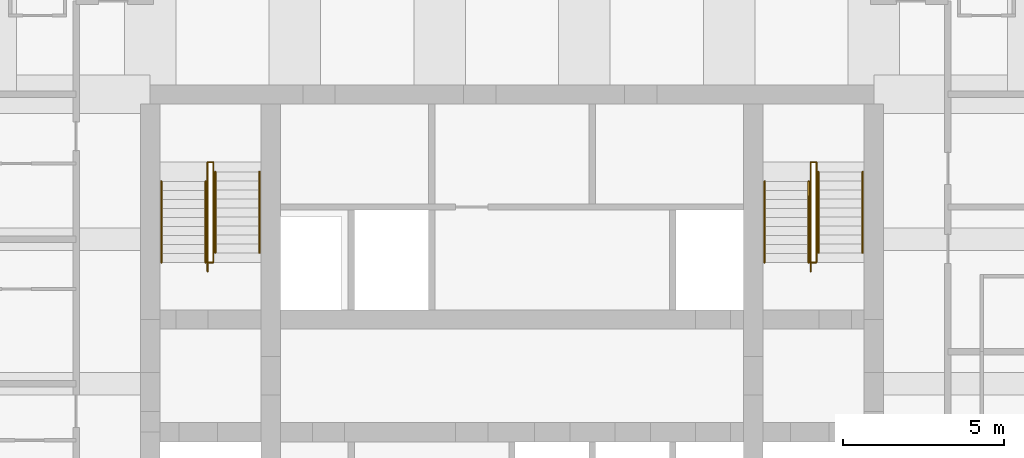
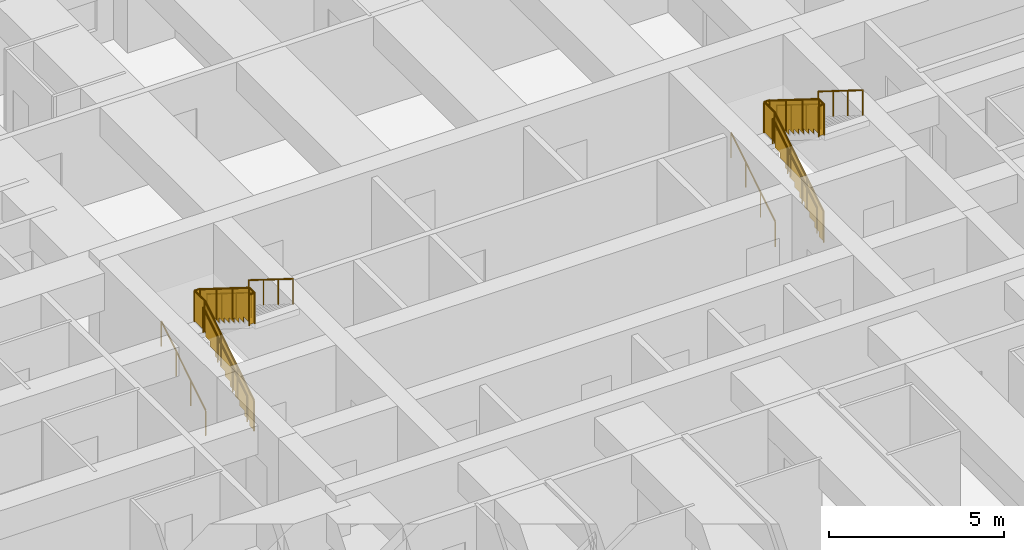
# One storey, part 8 of 8: 12 railings.
"""IFC4 building model written with IfcOpenShell, lengths in metres."""

from ifc_helpers import new_model, si_unit, direction, frame, origin, origin_2d, place, context, subcontext, project, spatial, polyline, circle, outline, extrude, material, type_object, element, save


model = new_model("IFC4")

# Units and contexts
model_context = context("Model", 3, precision=1e-05, world=origin(), true_north=direction((0.0, 1.0)))
body_context = subcontext(model_context, "Body", "Model", "MODEL_VIEW")
ifc_project = project(units=[si_unit("LENGTHUNIT", "METRE"), si_unit("AREAUNIT", "SQUARE_METRE"), si_unit("VOLUMEUNIT", "CUBIC_METRE"), si_unit("PLANEANGLEUNIT", "RADIAN"), si_unit("MASSUNIT", "GRAM", prefix="KILO")], contexts=[model_context])

# Site, building, storey
site_placement = place(None, origin())
site = spatial("IfcSite", under=ifc_project, at=site_placement, CompositionType="ELEMENT")
building_placement = place(site_placement, origin())
building = spatial("IfcBuilding", under=site, at=building_placement, Name="Kilele Tower Hotel", CompositionType="ELEMENT")
storey_placement = place(building_placement, frame((0.0, 0.0, 128.39990234375)))
storey = spatial("IfcBuildingStorey", under=building, at=storey_placement, Name="L33", CompositionType="ELEMENT", Elevation=128.39990234375)

# Railings
ifc_material_1 = material(Name="Steel handrail", Category="steel")
railing_type_1 = type_object("IfcRailingType", Name="Handrail 900", PredefinedType="HANDRAIL", material=ifc_material_1)
for number, where, name in (
    (1, (13.85009765625, 21.77490234375, 0.175048828125), "Handrail ST1 flight 1"),
    (2, (15.22509765625, 21.77490234375, 0.175048828125), "Handrail ST1 flight 1"),
):
    element("IfcRailing", number, at=place(storey_placement, frame(where)), inside=storey, type_object=railing_type_1, Name=name, PredefinedType="HANDRAIL", context=body_context, shape_type="SweptSolid", body=[
        extrude(circle(Radius=0.02490234375, at=origin_2d()), frame((0.0, 0.0, 0.875), z_axis=(0.0, 0.848007534815, 0.529984170421), x_axis=(-1.0, 0.0, 0.0)), (0.0, 0.0, 1.0), 2.9716796875),
        extrude(circle(Radius=0.02001953125, at=origin_2d()), origin(), (0.0, 0.0, 1.0), 0.849853515625),
        extrude(circle(Radius=0.02001953125, at=origin_2d()), frame((0.0, 0.840087890625, 0.52490234375)), (0.0, 0.0, 1.0), 0.849853515625),
        extrude(circle(Radius=0.02001953125, at=origin_2d()), frame((0.0, 1.679931640625, 1.050048828125)), (0.0, 0.0, 1.0), 0.849853515625),
        extrude(circle(Radius=0.02001953125, at=origin_2d()), frame((0.0, 2.52001953125, 1.574951171875)), (0.0, 0.0, 1.0), 0.849853515625),
    ])
for number, where, name in (
    (3, (15.52490234375, 24.594970703125, 1.925048828125), "Handrail ST1 flight 2"),
    (4, (16.89990234375, 24.594970703125, 1.925048828125), "Handrail ST1 flight 2"),
):
    element("IfcRailing", number, at=place(storey_placement, frame(where)), inside=storey, type_object=railing_type_1, Name=name, PredefinedType="HANDRAIL", context=body_context, shape_type="SweptSolid", body=[
        extrude(circle(Radius=0.02490234375, at=origin_2d()), frame((0.0, 0.0, 0.875), z_axis=(0.0, -0.848007534815, 0.529984170421), x_axis=(1.0, 0.0, 0.0)), (0.0, 0.0, 1.0), 2.9716796875),
        extrude(circle(Radius=0.02001953125, at=origin_2d()), origin(), (0.0, 0.0, 1.0), 0.849853515625),
        extrude(circle(Radius=0.02001953125, at=origin_2d()), frame((0.0, -0.840087890625, 0.52490234375)), (0.0, 0.0, 1.0), 0.849853515625),
        extrude(circle(Radius=0.02001953125, at=origin_2d()), frame((0.0, -1.679931640625, 1.050048828125)), (0.0, 0.0, 1.0), 0.849853515625),
        extrude(circle(Radius=0.02001953125, at=origin_2d()), frame((0.0, -2.52001953125, 1.574951171875)), (0.0, 0.0, 1.0), 0.849853515625),
    ])
for number, where, name in (
    (5, (32.60009765625, 21.77490234375, 0.175048828125), "Handrail ST2 flight 1"),
    (6, (33.97509765625, 21.77490234375, 0.175048828125), "Handrail ST2 flight 1"),
):
    element("IfcRailing", number, at=place(storey_placement, frame(where)), inside=storey, type_object=railing_type_1, Name=name, PredefinedType="HANDRAIL", context=body_context, shape_type="SweptSolid", body=[
        extrude(circle(Radius=0.02490234375, at=origin_2d()), frame((0.0, 0.0, 0.875), z_axis=(0.0, 0.848007534815, 0.529984170421), x_axis=(-1.0, 0.0, 0.0)), (0.0, 0.0, 1.0), 2.9716796875),
        extrude(circle(Radius=0.02001953125, at=origin_2d()), origin(), (0.0, 0.0, 1.0), 0.849853515625),
        extrude(circle(Radius=0.02001953125, at=origin_2d()), frame((0.0, 0.840087890625, 0.52490234375)), (0.0, 0.0, 1.0), 0.849853515625),
        extrude(circle(Radius=0.02001953125, at=origin_2d()), frame((0.0, 1.679931640625, 1.050048828125)), (0.0, 0.0, 1.0), 0.849853515625),
        extrude(circle(Radius=0.02001953125, at=origin_2d()), frame((0.0, 2.52001953125, 1.574951171875)), (0.0, 0.0, 1.0), 0.849853515625),
    ])
for number, where, name in (
    (7, (34.27490234375, 24.594970703125, 1.925048828125), "Handrail ST2 flight 2"),
    (8, (35.64990234375, 24.594970703125, 1.925048828125), "Handrail ST2 flight 2"),
):
    element("IfcRailing", number, at=place(storey_placement, frame(where)), inside=storey, type_object=railing_type_1, Name=name, PredefinedType="HANDRAIL", context=body_context, shape_type="SweptSolid", body=[
        extrude(circle(Radius=0.02490234375, at=origin_2d()), frame((0.0, 0.0, 0.875), z_axis=(0.0, -0.848007534815, 0.529984170421), x_axis=(1.0, 0.0, 0.0)), (0.0, 0.0, 1.0), 2.9716796875),
        extrude(circle(Radius=0.02001953125, at=origin_2d()), origin(), (0.0, 0.0, 1.0), 0.849853515625),
        extrude(circle(Radius=0.02001953125, at=origin_2d()), frame((0.0, -0.840087890625, 0.52490234375)), (0.0, 0.0, 1.0), 0.849853515625),
        extrude(circle(Radius=0.02001953125, at=origin_2d()), frame((0.0, -1.679931640625, 1.050048828125)), (0.0, 0.0, 1.0), 0.849853515625),
        extrude(circle(Radius=0.02001953125, at=origin_2d()), frame((0.0, -2.52001953125, 1.574951171875)), (0.0, 0.0, 1.0), 0.849853515625),
    ])
ifc_material_2 = material(Name="Steel guard", Category="steel")
railing_type_2 = type_object("IfcRailingType", Name="Stair guard 1100", PredefinedType="GUARDRAIL", material=ifc_material_2)
railing_1_placement = place(storey_placement, frame((15.284912109375, 21.4951171875, 0.0)))
element("IfcRailing", 9, at=railing_1_placement, inside=storey, type_object=railing_type_2, Name="Stair well guard ST1 flight 1", PredefinedType="GUARDRAIL", context=body_context, shape_type="SweptSolid", body=[
    extrude(circle(Radius=0.02490234375, at=origin_2d()), frame((0.0, 0.0, 1.0751953125), z_axis=(0.0, 0.847981687118, 0.530025526095), x_axis=(-1.0, 0.0, 0.0)), (0.0, 0.0, 1.0), 3.3017578125),
    extrude(circle(Radius=0.02490234375, at=origin_2d()), frame((0.0, 2.7998046875, 2.8251953125), z_axis=(0.0, 1.0, 0.0), x_axis=(-1.0, 0.0, 0.0)), (0.0, 0.0, 1.0), 0.60009765625),
    extrude(circle(Radius=0.02490234375, at=origin_2d()), frame((0.0, 3.39990234375, 2.8251953125), z_axis=(1.0, 0.0, 0.0), x_axis=(0.0, 1.0, 0.0)), (0.0, 0.0, 1.0), 0.18017578125),
    extrude(circle(Radius=0.02490234375, at=origin_2d()), origin(), (0.0, 0.0, 1.0), 1.050048828125),
    extrude(circle(Radius=0.02490234375, at=origin_2d()), frame((0.0, 0.933349609375, 0.583251953125)), (0.0, 0.0, 1.0), 1.050048828125),
    extrude(circle(Radius=0.02490234375, at=origin_2d()), frame((0.0, 1.866455078125, 1.166748046875)), (0.0, 0.0, 1.0), 1.050048828125),
    extrude(circle(Radius=0.02490234375, at=origin_2d()), frame((0.0, 2.7998046875, 1.75)), (0.0, 0.0, 1.0), 1.050048828125),
    extrude(circle(Radius=0.02490234375, at=origin_2d()), frame((0.0, 3.39990234375, 1.75)), (0.0, 0.0, 1.0), 1.050048828125),
    extrude(circle(Radius=0.02490234375, at=origin_2d()), frame((0.18017578125, 3.39990234375, 1.75)), (0.0, 0.0, 1.0), 1.050048828125),
    extrude(outline(polyline([(0.012451171875, 0.030029296875), (0.25, 0.030029296875), (0.25, 0.205078125), (0.530029296875, 0.205078125), (0.530029296875, 0.380126953125), (0.809814453125, 0.380126953125), (0.809814453125, 0.554931640625), (1.08984375, 0.554931640625), (1.08984375, 0.72998046875), (1.369873046875, 0.72998046875), (1.369873046875, 0.905029296875), (1.64990234375, 0.905029296875), (1.64990234375, 1.080078125), (1.929931640625, 1.080078125), (1.929931640625, 1.255126953125), (2.209716796875, 1.255126953125), (2.209716796875, 1.429931640625), (2.48974609375, 1.429931640625), (2.48974609375, 1.60498046875), (2.769775390625, 1.60498046875), (2.769775390625, 1.780029296875), (2.787353515625, 1.780029296875), (2.787353515625, 2.787841796875), (0.012451171875, 1.053466796875), (0.012451171875, 0.030029296875)])), frame((-0.005859375, 0.0, 0.0), z_axis=(1.0, 0.0, 0.0), x_axis=(0.0, 1.0, 0.0)), (0.0, 0.0, 1.0), 0.011962890625),
    extrude(outline(polyline([(0.012451171875, 0.030029296875), (0.587646484375, 0.030029296875), (0.587646484375, 1.050048828125), (0.012451171875, 1.050048828125), (0.012451171875, 0.030029296875)])), frame((-0.005859375, 2.7998046875, 1.75), z_axis=(1.0, 0.0, 0.0), x_axis=(0.0, 1.0, 0.0)), (0.0, 0.0, 1.0), 0.011962890625),
    extrude(outline(polyline([(0.012451171875, 0.030029296875), (0.18017578125, 0.030029296875), (0.18017578125, 1.050048828125), (0.012451171875, 1.050048828125), (0.012451171875, 0.030029296875)])), frame((0.0, 3.40576171875, 1.75), z_axis=(0.0, -1.0, 0.0), x_axis=(1.0, 0.0, 0.0)), (0.0, 0.0, 1.0), 0.011962890625),
])
railing_2_placement = place(storey_placement, frame((15.465087890625, 24.89501953125, 1.75)))
element("IfcRailing", 10, at=railing_2_placement, inside=storey, type_object=railing_type_2, Name="Stair well guard ST1 flight 2", PredefinedType="GUARDRAIL", context=body_context, shape_type="SweptSolid", body=[
    extrude(circle(Radius=0.02490234375, at=origin_2d()), frame((0.0, 0.0, 1.0751953125), z_axis=(0.0, -1.0, 0.0), x_axis=(1.0, 0.0, 0.0)), (0.0, 0.0, 1.0), 0.02001953125),
    extrude(circle(Radius=0.02490234375, at=origin_2d()), frame((0.0, -0.02001953125, 1.0751953125), z_axis=(0.0, -0.848002457836, 0.529992293815), x_axis=(1.0, 0.0, 0.0)), (0.0, 0.0, 1.0), 3.302001953125),
    extrude(circle(Radius=0.02490234375, at=origin_2d()), frame((0.0, -2.820068359375, 2.8251953125), z_axis=(0.0, -1.0, 0.0), x_axis=(1.0, 0.0, 0.0)), (0.0, 0.0, 1.0), 0.300048828125),
    extrude(circle(Radius=0.02490234375, at=origin_2d()), frame((0.0, -3.1201171875, 2.8251953125), z_axis=(-1.0, 0.0, 0.0), x_axis=(0.0, -1.0, 0.0)), (0.0, 0.0, 1.0), 0.18017578125),
    extrude(circle(Radius=0.02490234375, at=origin_2d()), origin(), (0.0, 0.0, 1.0), 1.050048828125),
    extrude(circle(Radius=0.02490234375, at=origin_2d()), frame((0.0, -0.02001953125, 0.0)), (0.0, 0.0, 1.0), 1.050048828125),
    extrude(circle(Radius=0.02490234375, at=origin_2d()), frame((0.0, -0.953369140625, 0.583251953125)), (0.0, 0.0, 1.0), 1.050048828125),
    extrude(circle(Radius=0.02490234375, at=origin_2d()), frame((0.0, -1.88671875, 1.166748046875)), (0.0, 0.0, 1.0), 1.050048828125),
    extrude(circle(Radius=0.02490234375, at=origin_2d()), frame((0.0, -2.820068359375, 1.75)), (0.0, 0.0, 1.0), 1.050048828125),
    extrude(circle(Radius=0.02490234375, at=origin_2d()), frame((0.0, -3.1201171875, 1.75)), (0.0, 0.0, 1.0), 1.050048828125),
    extrude(circle(Radius=0.02490234375, at=origin_2d()), frame((-0.18017578125, -3.1201171875, 1.75)), (0.0, 0.0, 1.0), 1.050048828125),
    extrude(outline(polyline([(0.012451171875, 0.030029296875), (0.25, 0.030029296875), (0.25, 0.205078125), (0.530029296875, 0.205078125), (0.530029296875, 0.380126953125), (0.81005859375, 0.380126953125), (0.81005859375, 0.554931640625), (1.090087890625, 0.554931640625), (1.090087890625, 0.72998046875), (1.3701171875, 0.72998046875), (1.3701171875, 0.905029296875), (1.64990234375, 0.905029296875), (1.64990234375, 1.080078125), (1.929931640625, 1.080078125), (1.929931640625, 1.255126953125), (2.2099609375, 1.255126953125), (2.2099609375, 1.429931640625), (2.489990234375, 1.429931640625), (2.489990234375, 1.60498046875), (2.77001953125, 1.60498046875), (2.77001953125, 1.780029296875), (2.78759765625, 1.780029296875), (2.78759765625, 2.787841796875), (0.012451171875, 1.053466796875), (0.012451171875, 0.030029296875)])), frame((0.005859375, -0.02001953125, 0.0), z_axis=(-1.0, 0.0, 0.0), x_axis=(0.0, -1.0, 0.0)), (0.0, 0.0, 1.0), 0.011962890625),
    extrude(outline(polyline([(0.012451171875, 0.030029296875), (0.28759765625, 0.030029296875), (0.28759765625, 1.050048828125), (0.012451171875, 1.050048828125), (0.012451171875, 0.030029296875)])), frame((0.005859375, -2.820068359375, 1.75), z_axis=(-1.0, 0.0, 0.0), x_axis=(0.0, -1.0, 0.0)), (0.0, 0.0, 1.0), 0.011962890625),
    extrude(outline(polyline([(0.012451171875, 0.030029296875), (0.18017578125, 0.030029296875), (0.18017578125, 1.050048828125), (0.012451171875, 1.050048828125), (0.012451171875, 0.030029296875)])), frame((0.0, -3.1259765625, 1.75), z_axis=(0.0, 1.0, 0.0), x_axis=(-1.0, 0.0, 0.0)), (0.0, 0.0, 1.0), 0.011962890625),
])
railing_3_placement = place(storey_placement, frame((34.034912109375, 21.4951171875, 0.0)))
element("IfcRailing", 11, at=railing_3_placement, inside=storey, type_object=railing_type_2, Name="Stair well guard ST2 flight 1", PredefinedType="GUARDRAIL", context=body_context, shape_type="SweptSolid", body=[
    extrude(circle(Radius=0.02490234375, at=origin_2d()), frame((0.0, 0.0, 1.0751953125), z_axis=(0.0, 0.847981687118, 0.530025526095), x_axis=(-1.0, 0.0, 0.0)), (0.0, 0.0, 1.0), 3.3017578125),
    extrude(circle(Radius=0.02490234375, at=origin_2d()), frame((0.0, 2.7998046875, 2.8251953125), z_axis=(0.0, 1.0, 0.0), x_axis=(-1.0, 0.0, 0.0)), (0.0, 0.0, 1.0), 0.60009765625),
    extrude(circle(Radius=0.02490234375, at=origin_2d()), frame((0.0, 3.39990234375, 2.8251953125), z_axis=(1.0, 0.0, 0.0), x_axis=(0.0, 1.0, 0.0)), (0.0, 0.0, 1.0), 0.18017578125),
    extrude(circle(Radius=0.02490234375, at=origin_2d()), origin(), (0.0, 0.0, 1.0), 1.050048828125),
    extrude(circle(Radius=0.02490234375, at=origin_2d()), frame((0.0, 0.933349609375, 0.583251953125)), (0.0, 0.0, 1.0), 1.050048828125),
    extrude(circle(Radius=0.02490234375, at=origin_2d()), frame((0.0, 1.866455078125, 1.166748046875)), (0.0, 0.0, 1.0), 1.050048828125),
    extrude(circle(Radius=0.02490234375, at=origin_2d()), frame((0.0, 2.7998046875, 1.75)), (0.0, 0.0, 1.0), 1.050048828125),
    extrude(circle(Radius=0.02490234375, at=origin_2d()), frame((0.0, 3.39990234375, 1.75)), (0.0, 0.0, 1.0), 1.050048828125),
    extrude(circle(Radius=0.02490234375, at=origin_2d()), frame((0.18017578125, 3.39990234375, 1.75)), (0.0, 0.0, 1.0), 1.050048828125),
    extrude(outline(polyline([(0.012451171875, 0.030029296875), (0.25, 0.030029296875), (0.25, 0.205078125), (0.530029296875, 0.205078125), (0.530029296875, 0.380126953125), (0.809814453125, 0.380126953125), (0.809814453125, 0.554931640625), (1.08984375, 0.554931640625), (1.08984375, 0.72998046875), (1.369873046875, 0.72998046875), (1.369873046875, 0.905029296875), (1.64990234375, 0.905029296875), (1.64990234375, 1.080078125), (1.929931640625, 1.080078125), (1.929931640625, 1.255126953125), (2.209716796875, 1.255126953125), (2.209716796875, 1.429931640625), (2.48974609375, 1.429931640625), (2.48974609375, 1.60498046875), (2.769775390625, 1.60498046875), (2.769775390625, 1.780029296875), (2.787353515625, 1.780029296875), (2.787353515625, 2.787841796875), (0.012451171875, 1.053466796875), (0.012451171875, 0.030029296875)])), frame((-0.005859375, 0.0, 0.0), z_axis=(1.0, 0.0, 0.0), x_axis=(0.0, 1.0, 0.0)), (0.0, 0.0, 1.0), 0.011962890625),
    extrude(outline(polyline([(0.012451171875, 0.030029296875), (0.587646484375, 0.030029296875), (0.587646484375, 1.050048828125), (0.012451171875, 1.050048828125), (0.012451171875, 0.030029296875)])), frame((-0.005859375, 2.7998046875, 1.75), z_axis=(1.0, 0.0, 0.0), x_axis=(0.0, 1.0, 0.0)), (0.0, 0.0, 1.0), 0.011962890625),
    extrude(outline(polyline([(0.012451171875, 0.030029296875), (0.18017578125, 0.030029296875), (0.18017578125, 1.050048828125), (0.012451171875, 1.050048828125), (0.012451171875, 0.030029296875)])), frame((0.0, 3.40576171875, 1.75), z_axis=(0.0, -1.0, 0.0), x_axis=(1.0, 0.0, 0.0)), (0.0, 0.0, 1.0), 0.011962890625),
])
railing_4_placement = place(storey_placement, frame((34.215087890625, 24.89501953125, 1.75)))
element("IfcRailing", 12, at=railing_4_placement, inside=storey, type_object=railing_type_2, Name="Stair well guard ST2 flight 2", PredefinedType="GUARDRAIL", context=body_context, shape_type="SweptSolid", body=[
    extrude(circle(Radius=0.02490234375, at=origin_2d()), frame((0.0, 0.0, 1.0751953125), z_axis=(0.0, -1.0, 0.0), x_axis=(1.0, 0.0, 0.0)), (0.0, 0.0, 1.0), 0.02001953125),
    extrude(circle(Radius=0.02490234375, at=origin_2d()), frame((0.0, -0.02001953125, 1.0751953125), z_axis=(0.0, -0.848002457836, 0.529992293815), x_axis=(1.0, 0.0, 0.0)), (0.0, 0.0, 1.0), 3.302001953125),
    extrude(circle(Radius=0.02490234375, at=origin_2d()), frame((0.0, -2.820068359375, 2.8251953125), z_axis=(0.0, -1.0, 0.0), x_axis=(1.0, 0.0, 0.0)), (0.0, 0.0, 1.0), 0.300048828125),
    extrude(circle(Radius=0.02490234375, at=origin_2d()), frame((0.0, -3.1201171875, 2.8251953125), z_axis=(-1.0, 0.0, 0.0), x_axis=(0.0, -1.0, 0.0)), (0.0, 0.0, 1.0), 0.18017578125),
    extrude(circle(Radius=0.02490234375, at=origin_2d()), origin(), (0.0, 0.0, 1.0), 1.050048828125),
    extrude(circle(Radius=0.02490234375, at=origin_2d()), frame((0.0, -0.02001953125, 0.0)), (0.0, 0.0, 1.0), 1.050048828125),
    extrude(circle(Radius=0.02490234375, at=origin_2d()), frame((0.0, -0.953369140625, 0.583251953125)), (0.0, 0.0, 1.0), 1.050048828125),
    extrude(circle(Radius=0.02490234375, at=origin_2d()), frame((0.0, -1.88671875, 1.166748046875)), (0.0, 0.0, 1.0), 1.050048828125),
    extrude(circle(Radius=0.02490234375, at=origin_2d()), frame((0.0, -2.820068359375, 1.75)), (0.0, 0.0, 1.0), 1.050048828125),
    extrude(circle(Radius=0.02490234375, at=origin_2d()), frame((0.0, -3.1201171875, 1.75)), (0.0, 0.0, 1.0), 1.050048828125),
    extrude(circle(Radius=0.02490234375, at=origin_2d()), frame((-0.18017578125, -3.1201171875, 1.75)), (0.0, 0.0, 1.0), 1.050048828125),
    extrude(outline(polyline([(0.012451171875, 0.030029296875), (0.25, 0.030029296875), (0.25, 0.205078125), (0.530029296875, 0.205078125), (0.530029296875, 0.380126953125), (0.81005859375, 0.380126953125), (0.81005859375, 0.554931640625), (1.090087890625, 0.554931640625), (1.090087890625, 0.72998046875), (1.3701171875, 0.72998046875), (1.3701171875, 0.905029296875), (1.64990234375, 0.905029296875), (1.64990234375, 1.080078125), (1.929931640625, 1.080078125), (1.929931640625, 1.255126953125), (2.2099609375, 1.255126953125), (2.2099609375, 1.429931640625), (2.489990234375, 1.429931640625), (2.489990234375, 1.60498046875), (2.77001953125, 1.60498046875), (2.77001953125, 1.780029296875), (2.78759765625, 1.780029296875), (2.78759765625, 2.787841796875), (0.012451171875, 1.053466796875), (0.012451171875, 0.030029296875)])), frame((0.005859375, -0.02001953125, 0.0), z_axis=(-1.0, 0.0, 0.0), x_axis=(0.0, -1.0, 0.0)), (0.0, 0.0, 1.0), 0.011962890625),
    extrude(outline(polyline([(0.012451171875, 0.030029296875), (0.28759765625, 0.030029296875), (0.28759765625, 1.050048828125), (0.012451171875, 1.050048828125), (0.012451171875, 0.030029296875)])), frame((0.005859375, -2.820068359375, 1.75), z_axis=(-1.0, 0.0, 0.0), x_axis=(0.0, -1.0, 0.0)), (0.0, 0.0, 1.0), 0.011962890625),
    extrude(outline(polyline([(0.012451171875, 0.030029296875), (0.18017578125, 0.030029296875), (0.18017578125, 1.050048828125), (0.012451171875, 1.050048828125), (0.012451171875, 0.030029296875)])), frame((0.0, -3.1259765625, 1.75), z_axis=(0.0, 1.0, 0.0), x_axis=(-1.0, 0.0, 0.0)), (0.0, 0.0, 1.0), 0.011962890625),
])

save(model, "model.ifc")
